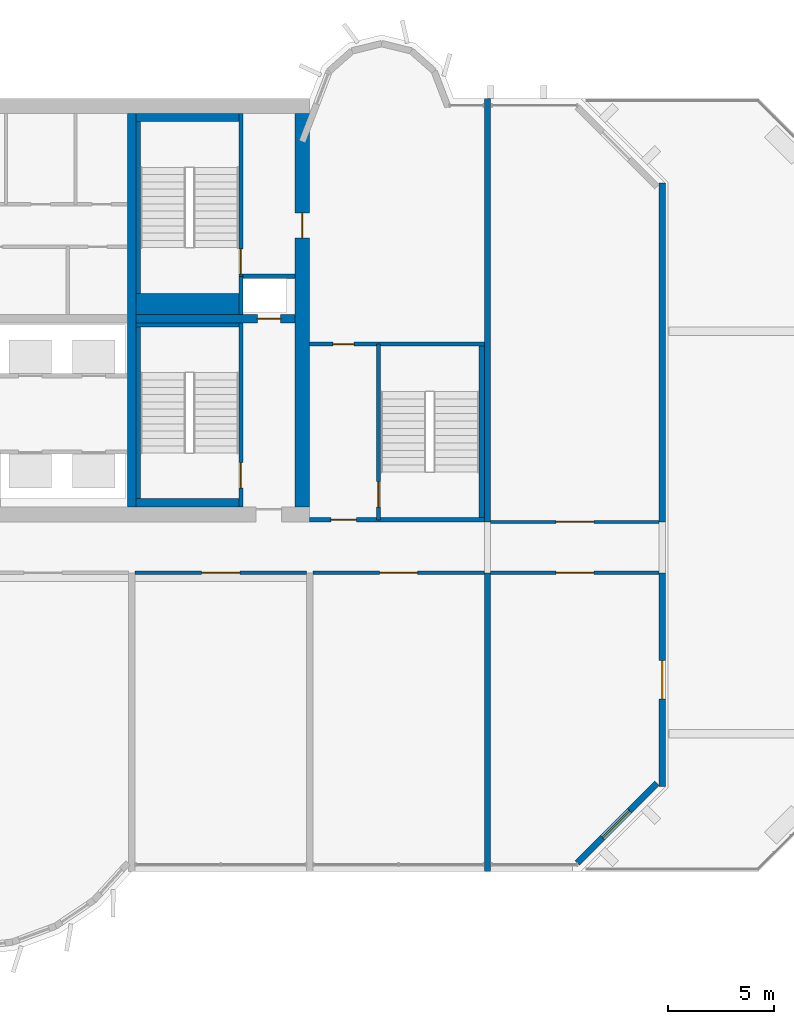
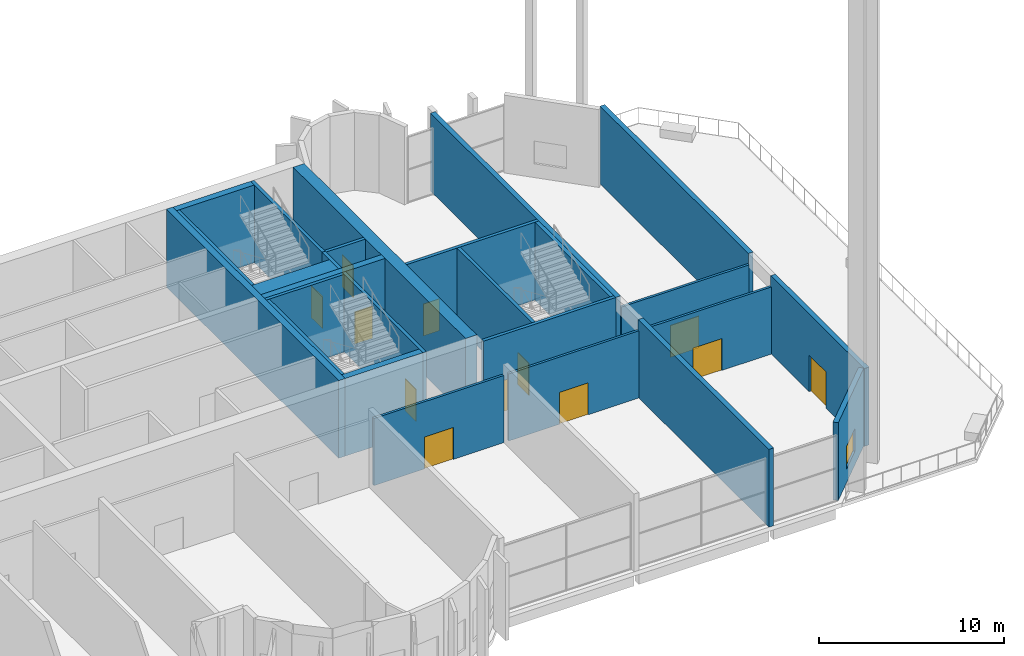
# One storey, part 14 of 19: 26 walls, 12 doors, 1 window, 13 openings.
"""IFC4 building model written with IfcOpenShell, lengths in metres."""

from ifc_helpers import new_model, si_unit, direction, frame, frame_2d, origin, place, context, subcontext, project, spatial, rectangle, extrude, source, transform, mapped, material, layer, layer_set, type_object, element, fill, save


model = new_model("IFC4")

# Units and contexts
model_context = context("Model", 3, precision=1e-05, world=origin(), true_north=direction((0.0, 1.0)))
body_context = subcontext(model_context, "Body", "Model", "MODEL_VIEW")
ifc_project = project(units=[si_unit("LENGTHUNIT", "METRE"), si_unit("AREAUNIT", "SQUARE_METRE"), si_unit("VOLUMEUNIT", "CUBIC_METRE"), si_unit("PLANEANGLEUNIT", "RADIAN"), si_unit("MASSUNIT", "GRAM", prefix="KILO")], contexts=[model_context])

# Site, building, storey
site_placement = place(None, origin())
site = spatial("IfcSite", under=ifc_project, at=site_placement, CompositionType="ELEMENT")
building_placement = place(site_placement, origin())
building = spatial("IfcBuilding", under=site, at=building_placement, Name="Vanashikhar Sky Hotel", CompositionType="ELEMENT")
storey_placement = place(building_placement, frame((0.0, 0.0, 146.199951171875)))
storey = spatial("IfcBuildingStorey", under=building, at=storey_placement, Name="L35", CompositionType="ELEMENT", Elevation=146.199951171875)

# Wall
ifc_material_1 = material(Name="Concrete M60", Category="concrete")
ifc_layer_1 = layer(ifc_material_1, 0.39990234375)
ifc_layer_set_1 = layer_set([ifc_layer_1], Name="RC core inner wall 400 Concrete M60")
wall_type_1 = type_object("IfcWallType", Name="RC core inner wall 400 Concrete M60", PredefinedType="SHEAR", material=ifc_layer_set_1)
shared_shape_1 = source(origin(), body_context, "Body", "SweptSolid", [
    extrude(rectangle(XDim=18.60009765625, YDim=0.39990234375, at=frame_2d((9.300048828125, 0.0))), origin(), (0.0, 0.0, 1.0), 5.1201171875),
])
wall_1_placement = place(storey_placement, frame((67.199951171875, 22.699951171875, 0.0), z_axis=(0.0, 0.0, 1.0), x_axis=(0.0, 1.0, 0.0)))
element("IfcWall", 1, at=wall_1_placement, inside=storey, type_object=wall_type_1, Name="KW-L35-KX3", PredefinedType="SHEAR", context=body_context, shape_type="MappedRepresentation", body=[
    mapped(shared_shape_1, transform((0.0, 0.0, 0.0), scale=1.0)),
])

# Wall, opening, door
ifc_layer_2 = layer(ifc_material_1, 0.699951171875)
ifc_layer_set_2 = layer_set([ifc_layer_2], Name="RC core shell wall 700 Concrete M60")
wall_type_2 = type_object("IfcWallType", Name="RC core shell wall 700 Concrete M60", PredefinedType="SHEAR", material=ifc_layer_set_2)
shared_shape_2 = source(origin(), body_context, "Body", "SweptSolid", [
    extrude(rectangle(XDim=18.60009765625, YDim=0.699951171875, at=frame_2d((9.300048828125, 0.0))), origin(), (0.0, 0.0, 1.0), 5.1201171875),
])
wall_2_placement = place(storey_placement, frame((75.25, 22.699951171875, 0.0), z_axis=(0.0, 0.0, 1.0), x_axis=(0.0, 1.0, 0.0)))
wall_2 = element("IfcWall", 2, at=wall_2_placement, inside=storey, type_object=wall_type_2, Name="KW-L35-KE", PredefinedType="SHEAR", context=body_context, shape_type="MappedRepresentation", body=[
    mapped(shared_shape_2, transform((0.0, 0.0, 0.0), scale=1.0)),
])
shared_shape_3 = source(origin(), body_context, "Body", "SweptSolid", [
    extrude(rectangle(XDim=1.199951171875, YDim=2.10009765625, at=frame_2d((0.60009765625, 1.050048828125))), frame((0.0, 0.35986328125, 0.0), z_axis=(0.0, -1.0, 0.0), x_axis=(1.0, 0.0, 0.0)), (0.0, 0.0, 1.0), 0.719970703125),
])
opening_1_placement = place(wall_2_placement, frame((12.699951171875, 0.0, 0.0)))
opening_1 = element("IfcOpeningElement", 3, at=opening_1_placement, cuts=wall_2, Name="Opening DC-4-D", PredefinedType="OPENING", context=body_context, shape_type="MappedRepresentation", body=[
    mapped(shared_shape_3, transform((0.0, 0.0, 0.0), scale=1.0)),
])
ifc_material_2 = material(Name="Steel", Category="steel")
door_type_1 = type_object("IfcDoorType", Name="Service door 1200 FD120", OperationType="NOTDEFINED", PredefinedType="DOOR", material=ifc_material_2)
shared_shape_4 = source(origin(), body_context, "Body", "SweptSolid", [
    extrude(rectangle(XDim=1.199951171875, YDim=2.10009765625, at=frame_2d((0.60009765625, 1.050048828125))), frame((0.0, 0.02490234375, 0.0), z_axis=(0.0, -1.0, 0.0), x_axis=(1.0, 0.0, 0.0)), (0.0, 0.0, 1.0), 0.050048828125),
])
door_1_placement = place(opening_1_placement, origin())
door_1 = element("IfcDoor", 4, at=door_1_placement, inside=storey, type_object=door_type_1, Name="Service door 1200 FD120", OperationType="SINGLE_SWING_RIGHT", OverallHeight=2.10009765625, OverallWidth=1.199951171875, PredefinedType="DOOR", context=body_context, shape_type="MappedRepresentation", body=[
    mapped(shared_shape_4, transform((0.0, 0.0, 0.0), scale=1.0)),
])
fill(opening_1, door_1)

shared_shape_5 = source(origin(), body_context, "Body", "SweptSolid", [
    extrude(rectangle(XDim=7.5, YDim=0.39990234375, at=frame_2d((3.75, 0.0))), origin(), (0.0, 0.0, 1.0), 5.1201171875),
])
wall_3_placement = place(storey_placement, frame((67.39990234375, 31.60009765625, 0.0), z_axis=(0.0, 0.0, 1.0), x_axis=(1.0, 0.0, 0.0)))
wall_3 = element("IfcWall", 5, at=wall_3_placement, inside=storey, type_object=wall_type_1, Name="KW-L35-KY4", PredefinedType="SHEAR", context=body_context, shape_type="MappedRepresentation", body=[
    mapped(shared_shape_5, transform((0.0, 0.0, 0.0), scale=1.0)),
])
shared_shape_6 = source(origin(), body_context, "Body", "SweptSolid", [
    extrude(rectangle(XDim=1.10009765625, YDim=2.10009765625, at=frame_2d((0.550048828125, 1.050048828125))), frame((0.0, 0.2099609375, 0.0), z_axis=(0.0, -1.0, 0.0), x_axis=(1.0, 0.0, 0.0)), (0.0, 0.0, 1.0), 0.419921875),
])
opening_2_placement = place(wall_3_placement, frame((5.72509765625, 0.0, 0.0)))
opening_2 = element("IfcOpeningElement", 6, at=opening_2_placement, cuts=wall_3, Name="Opening LD", PredefinedType="OPENING", context=body_context, shape_type="MappedRepresentation", body=[
    mapped(shared_shape_6, transform((0.0, 0.0, 0.0), scale=1.0)),
])
ifc_material_3 = material(Name="Stainless steel", Category="steel")
door_type_2 = type_object("IfcDoorType", Name="Lift landing door 1100", OperationType="NOTDEFINED", PredefinedType="DOOR", material=ifc_material_3)
shared_shape_7 = source(origin(), body_context, "Body", "SweptSolid", [
    extrude(rectangle(XDim=1.10009765625, YDim=2.10009765625, at=frame_2d((0.550048828125, 1.050048828125))), frame((0.0, 0.02490234375, 0.0), z_axis=(0.0, -1.0, 0.0), x_axis=(1.0, 0.0, 0.0)), (0.0, 0.0, 1.0), 0.050048828125),
])
door_2_placement = place(opening_2_placement, origin())
door_2 = element("IfcDoor", 7, at=door_2_placement, inside=storey, type_object=door_type_2, Name="Lift landing door 1100", OperationType="SLIDING_TO_RIGHT", OverallHeight=2.10009765625, OverallWidth=1.10009765625, PredefinedType="DOOR", context=body_context, shape_type="MappedRepresentation", body=[
    mapped(shared_shape_7, transform((0.0, 0.0, 0.0), scale=1.0)),
])
fill(opening_2, door_2)

ifc_layer_3 = layer(ifc_material_1, 0.300048828125)
ifc_layer_set_3 = layer_set([ifc_layer_3], Name="RC shear wall 300 Concrete M60")
wall_type_3 = type_object("IfcWallType", Name="RC shear wall 300 Concrete M60", PredefinedType="SHEAR", material=ifc_layer_set_3)
shared_shape_8 = source(origin(), body_context, "Body", "SweptSolid", [
    extrude(rectangle(XDim=10.10009765625, YDim=0.300048828125, at=frame_2d((5.050048828125, 0.0))), origin(), (0.0, 0.0, 1.0), 5.1201171875),
])
wall_4_placement = place(storey_placement, frame((92.25, 9.5, 0.0), z_axis=(0.0, 0.0, 1.0), x_axis=(0.0, 1.0, 0.0)))
wall_4 = element("IfcWall", 8, at=wall_4_placement, inside=storey, type_object=wall_type_3, Name="CW-L35-XW12-1", PredefinedType="SHEAR", context=body_context, shape_type="MappedRepresentation", body=[
    mapped(shared_shape_8, transform((0.0, 0.0, 0.0), scale=1.0)),
])
shared_shape_9 = source(origin(), body_context, "Body", "SweptSolid", [
    extrude(rectangle(XDim=1.800048828125, YDim=2.39990234375, at=frame_2d((0.89990234375, 1.199951171875))), frame((0.0, 0.16015625, 0.0), z_axis=(0.0, -1.0, 0.0), x_axis=(1.0, 0.0, 0.0)), (0.0, 0.0, 1.0), 0.320068359375),
])
opening_3_placement = place(wall_4_placement, frame((4.14990234375, 0.0, 0.0)))
opening_3 = element("IfcOpeningElement", 9, at=opening_3_placement, cuts=wall_4, Name="Opening LD-02", PredefinedType="OPENING", context=body_context, shape_type="MappedRepresentation", body=[
    mapped(shared_shape_9, transform((0.0, 0.0, 0.0), scale=1.0)),
])
ifc_material_4 = material(Name="Aluminium", Category="aluminium")
door_type_3 = type_object("IfcDoorType", Name="Lookout sliding door 1800 x 2400", OperationType="NOTDEFINED", PredefinedType="DOOR", material=ifc_material_4)
shared_shape_10 = source(origin(), body_context, "Body", "SweptSolid", [
    extrude(rectangle(XDim=1.800048828125, YDim=2.39990234375, at=frame_2d((0.89990234375, 1.199951171875))), frame((0.0, 0.02490234375, 0.0), z_axis=(0.0, -1.0, 0.0), x_axis=(1.0, 0.0, 0.0)), (0.0, 0.0, 1.0), 0.050048828125),
])
door_3_placement = place(opening_3_placement, origin())
door_3 = element("IfcDoor", 10, at=door_3_placement, inside=storey, type_object=door_type_3, Name="Terrace sliding door", OperationType="SLIDING_TO_RIGHT", OverallHeight=2.39990234375, OverallWidth=1.800048828125, PredefinedType="DOOR", context=body_context, shape_type="MappedRepresentation", body=[
    mapped(shared_shape_10, transform((0.0, 0.0, 0.0), scale=1.0)),
])
fill(opening_3, door_3)

# Walls
shared_shape_11 = source(origin(), body_context, "Body", "SweptSolid", [
    extrude(rectangle(XDim=16.0, YDim=0.300048828125, at=frame_2d((8.0, 0.0))), origin(), (0.0, 0.0, 1.0), 5.1201171875),
])
wall_5_placement = place(storey_placement, frame((92.25, 22.0, 0.0), z_axis=(0.0, 0.0, 1.0), x_axis=(0.0, 1.0, 0.0)))
element("IfcWall", 11, at=wall_5_placement, inside=storey, type_object=wall_type_3, Name="CW-L35-XW12-2", PredefinedType="SHEAR", context=body_context, shape_type="MappedRepresentation", body=[
    mapped(shared_shape_11, transform((0.0, 0.0, 0.0), scale=1.0)),
])
shared_shape_12 = source(origin(), body_context, "Body", "SweptSolid", [
    extrude(rectangle(XDim=14.10009765625, YDim=0.300048828125, at=frame_2d((7.050048828125, 0.0))), origin(), (0.0, 0.0, 1.0), 5.1201171875),
])
wall_6_placement = place(storey_placement, frame((84.0, 5.5, 0.0), z_axis=(0.0, 0.0, 1.0), x_axis=(0.0, 1.0, 0.0)))
element("IfcWall", 12, at=wall_6_placement, inside=storey, type_object=wall_type_3, Name="CW-L35-XW11-1", PredefinedType="SHEAR", context=body_context, shape_type="MappedRepresentation", body=[
    mapped(shared_shape_12, transform((0.0, 0.0, 0.0), scale=1.0)),
])
shared_shape_13 = source(origin(), body_context, "Body", "SweptSolid", [
    extrude(rectangle(XDim=20.0, YDim=0.300048828125, at=frame_2d((10.0, 0.0))), origin(), (0.0, 0.0, 1.0), 5.1201171875),
])
wall_7_placement = place(storey_placement, frame((84.0, 22.0, 0.0), z_axis=(0.0, 0.0, 1.0), x_axis=(0.0, 1.0, 0.0)))
element("IfcWall", 13, at=wall_7_placement, inside=storey, type_object=wall_type_3, Name="CW-L35-XW11-2", PredefinedType="SHEAR", context=body_context, shape_type="MappedRepresentation", body=[
    mapped(shared_shape_13, transform((0.0, 0.0, 0.0), scale=1.0)),
])

# Wall, opening, window
ifc_material_5 = material(Name="Concrete M50", Category="concrete")
ifc_layer_4 = layer(ifc_material_5, 0.300048828125)
ifc_layer_set_4 = layer_set([ifc_layer_4], Name="Lobe wall 300")
wall_type_4 = type_object("IfcWallType", Name="Lobe wall 300", PredefinedType="SOLIDWALL", material=ifc_layer_set_4)
shared_shape_14 = source(origin(), body_context, "Body", "SweptSolid", [
    extrude(rectangle(XDim=5.32568359375, YDim=0.300048828125, at=frame_2d((2.662841796875, 0.0))), origin(), (0.0, 0.0, 1.0), 5.1201171875),
])
wall_8_placement = place(storey_placement, frame((88.234375, 5.89990234375, 0.0), z_axis=(0.0, 0.0, 1.0), x_axis=(0.707083859269, 0.707129702361, 0.0)))
wall_8 = element("IfcWall", 14, at=wall_8_placement, inside=storey, type_object=wall_type_4, Name="Corner wall", PredefinedType="SOLIDWALL", context=body_context, shape_type="MappedRepresentation", body=[
    mapped(shared_shape_14, transform((0.0, 0.0, 0.0), scale=1.0)),
])
shared_shape_15 = source(origin(), body_context, "Body", "SweptSolid", [
    extrude(rectangle(XDim=1.800048828125, YDim=1.5, at=frame_2d((0.89990234375, 0.75))), frame((0.0, 0.16015625, 0.0), z_axis=(0.0, -1.0, 0.0), x_axis=(1.0, 0.0, 0.0)), (0.0, 0.0, 1.0), 0.320068359375),
])
opening_4_placement = place(wall_8_placement, frame((1.689453125, 0.0, 0.89990234375)))
opening_4 = element("IfcOpeningElement", 15, at=opening_4_placement, cuts=wall_8, Name="Opening WN-4", PredefinedType="OPENING", context=body_context, shape_type="MappedRepresentation", body=[
    mapped(shared_shape_15, transform((0.0, 0.0, 0.0), scale=1.0)),
])
ifc_material_6 = material(Name="Glass", Category="glass")
window_type = type_object("IfcWindowType", Name="Corner window 1800 x 1500", PartitioningType="SINGLE_PANEL", PredefinedType="WINDOW", material=ifc_material_6)
shared_shape_16 = source(origin(), body_context, "Body", "SweptSolid", [
    extrude(rectangle(XDim=1.800048828125, YDim=1.5, at=frame_2d((0.89990234375, 0.75))), frame((0.0, 0.030029296875, 0.0), z_axis=(0.0, -1.0, 0.0), x_axis=(1.0, 0.0, 0.0)), (0.0, 0.0, 1.0), 0.06005859375),
])
window_placement = place(opening_4_placement, origin())
window = element("IfcWindow", 16, at=window_placement, inside=storey, type_object=window_type, Name="Window WN-4", OverallHeight=1.5, OverallWidth=1.800048828125, PartitioningType="SINGLE_PANEL", PredefinedType="WINDOW", context=body_context, shape_type="MappedRepresentation", body=[
    mapped(shared_shape_16, transform((0.0, 0.0, 0.0), scale=1.0)),
])
fill(opening_4, window)

# Wall, opening, door
ifc_layer_5 = layer(ifc_material_5, 0.199951171875)
ifc_layer_set_5 = layer_set([ifc_layer_5], Name="Stair wall 200")
wall_type_5 = type_object("IfcWallType", Name="Stair wall 200", PredefinedType="SOLIDWALL", material=ifc_layer_set_5)
shared_shape_17 = source(origin(), body_context, "Body", "SweptSolid", [
    extrude(rectangle(XDim=8.2998046875, YDim=0.199951171875, at=frame_2d((4.14990234375, 0.0))), origin(), (0.0, 0.0, 1.0), 5.1201171875),
])
wall_9_placement = place(storey_placement, frame((78.85009765625, 22.10009765625, 0.0), z_axis=(0.0, 0.0, 1.0), x_axis=(0.0, 1.0, 0.0)))
wall_9 = element("IfcWall", 17, at=wall_9_placement, inside=storey, type_object=wall_type_5, Name="Stair wall 200", PredefinedType="SOLIDWALL", context=body_context, shape_type="MappedRepresentation", body=[
    mapped(shared_shape_17, transform((0.0, 0.0, 0.0), scale=1.0)),
])
shared_shape_18 = source(origin(), body_context, "Body", "SweptSolid", [
    extrude(rectangle(XDim=1.199951171875, YDim=2.10009765625, at=frame_2d((0.60009765625, 1.050048828125))), frame((0.0, 0.10986328125, 0.0), z_axis=(0.0, -1.0, 0.0), x_axis=(1.0, 0.0, 0.0)), (0.0, 0.0, 1.0), 0.219970703125),
])
opening_5_placement = place(wall_9_placement, frame((0.60009765625, 0.0, 0.0)))
opening_5 = element("IfcOpeningElement", 18, at=opening_5_placement, cuts=wall_9, Name="Opening DC-1", PredefinedType="OPENING", context=body_context, shape_type="MappedRepresentation", body=[
    mapped(shared_shape_18, transform((0.0, 0.0, 0.0), scale=1.0)),
])
door_type_4 = type_object("IfcDoorType", Name="Stair door 1200 FD120", OperationType="NOTDEFINED", PredefinedType="DOOR", material=ifc_material_2)
door_4_placement = place(opening_5_placement, origin())
door_4 = element("IfcDoor", 19, at=door_4_placement, inside=storey, type_object=door_type_4, Name="Stair door 1200 FD120", OperationType="SINGLE_SWING_LEFT", OverallHeight=2.10009765625, OverallWidth=1.199951171875, PredefinedType="DOOR", context=body_context, shape_type="MappedRepresentation", body=[
    mapped(shared_shape_4, transform((0.0, 0.0, 0.0), scale=1.0)),
])
fill(opening_5, door_4)

shared_shape_19 = source(origin(), body_context, "Body", "SweptSolid", [
    extrude(rectangle(XDim=8.699951171875, YDim=0.199951171875, at=frame_2d((4.35009765625, 0.0))), origin(), (0.0, 0.0, 1.0), 5.1201171875),
])
wall_10_placement = place(storey_placement, frame((72.35009765625, 22.699951171875, 0.0), z_axis=(0.0, 0.0, 1.0), x_axis=(0.0, 1.0, 0.0)))
wall_10 = element("IfcWall", 20, at=wall_10_placement, inside=storey, type_object=wall_type_5, Name="Stair wall 200", PredefinedType="SOLIDWALL", context=body_context, shape_type="MappedRepresentation", body=[
    mapped(shared_shape_19, transform((0.0, 0.0, 0.0), scale=1.0)),
])
opening_6_placement = place(wall_10_placement, frame((0.89990234375, 0.0, 0.0)))
opening_6 = element("IfcOpeningElement", 21, at=opening_6_placement, cuts=wall_10, Name="Opening DC-1", PredefinedType="OPENING", context=body_context, shape_type="MappedRepresentation", body=[
    mapped(shared_shape_18, transform((0.0, 0.0, 0.0), scale=1.0)),
])
door_5_placement = place(opening_6_placement, origin())
door_5 = element("IfcDoor", 22, at=door_5_placement, inside=storey, type_object=door_type_4, Name="Stair door 1200 FD120", OperationType="SINGLE_SWING_RIGHT", OverallHeight=2.10009765625, OverallWidth=1.199951171875, PredefinedType="DOOR", context=body_context, shape_type="MappedRepresentation", body=[
    mapped(shared_shape_4, transform((0.0, 0.0, 0.0), scale=1.0)),
])
fill(opening_6, door_5)

# Wall
ifc_material_7 = material(Name="Concrete M40", Category="concrete")
ifc_layer_6 = layer(ifc_material_7, 0.199951171875)
ifc_layer_set_6 = layer_set([ifc_layer_6], Name="Shaft wall 200")
wall_type_6 = type_object("IfcWallType", Name="Shaft wall 200", PredefinedType="SOLIDWALL", material=ifc_layer_set_6)
shared_shape_20 = source(origin(), body_context, "Body", "SweptSolid", [
    extrude(rectangle(XDim=1.800048828125, YDim=0.199951171875, at=frame_2d((0.89990234375, 0.0))), origin(), (0.0, 0.0, 1.0), 5.1201171875),
])
wall_11_placement = place(storey_placement, frame((72.35009765625, 31.800048828125, 0.0), z_axis=(0.0, 0.0, 1.0), x_axis=(0.0, 1.0, 0.0)))
element("IfcWall", 23, at=wall_11_placement, inside=storey, type_object=wall_type_6, Name="Shaft wall 200", PredefinedType="SOLIDWALL", context=body_context, shape_type="MappedRepresentation", body=[
    mapped(shared_shape_20, transform((0.0, 0.0, 0.0), scale=1.0)),
])

# Wall, opening, door
shared_shape_21 = source(origin(), body_context, "Body", "SweptSolid", [
    extrude(rectangle(XDim=7.699951171875, YDim=0.199951171875, at=frame_2d((3.85009765625, 0.0))), origin(), (0.0, 0.0, 1.0), 5.1201171875),
])
wall_12_placement = place(storey_placement, frame((72.35009765625, 33.60009765625, 0.0), z_axis=(0.0, 0.0, 1.0), x_axis=(0.0, 1.0, 0.0)))
wall_12 = element("IfcWall", 24, at=wall_12_placement, inside=storey, type_object=wall_type_5, Name="Stair wall 200", PredefinedType="SOLIDWALL", context=body_context, shape_type="MappedRepresentation", body=[
    mapped(shared_shape_21, transform((0.0, 0.0, 0.0), scale=1.0)),
])
opening_7_placement = place(wall_12_placement, frame((0.10009765625, 0.0, 0.0)))
opening_7 = element("IfcOpeningElement", 25, at=opening_7_placement, cuts=wall_12, Name="Opening DC-1", PredefinedType="OPENING", context=body_context, shape_type="MappedRepresentation", body=[
    mapped(shared_shape_18, transform((0.0, 0.0, 0.0), scale=1.0)),
])
door_6_placement = place(opening_7_placement, origin())
door_6 = element("IfcDoor", 26, at=door_6_placement, inside=storey, type_object=door_type_4, Name="Stair door 1200 FD120", OperationType="SINGLE_SWING_RIGHT", OverallHeight=2.10009765625, OverallWidth=1.199951171875, PredefinedType="DOOR", context=body_context, shape_type="MappedRepresentation", body=[
    mapped(shared_shape_4, transform((0.0, 0.0, 0.0), scale=1.0)),
])
fill(opening_7, door_6)

# Wall
shared_shape_22 = source(origin(), body_context, "Body", "SweptSolid", [
    extrude(rectangle(XDim=2.449951171875, YDim=0.199951171875, at=frame_2d((1.22509765625, 0.0))), origin(), (0.0, 0.0, 1.0), 5.1201171875),
])
wall_13_placement = place(storey_placement, frame((72.449951171875, 33.60009765625, 0.0), z_axis=(0.0, 0.0, 1.0), x_axis=(1.0, 0.0, 0.0)))
element("IfcWall", 27, at=wall_13_placement, inside=storey, type_object=wall_type_6, Name="Shaft wall 200", PredefinedType="SOLIDWALL", context=body_context, shape_type="MappedRepresentation", body=[
    mapped(shared_shape_22, transform((0.0, 0.0, 0.0), scale=1.0)),
])

# Wall, opening, door
shared_shape_23 = source(origin(), body_context, "Body", "SweptSolid", [
    extrude(rectangle(XDim=8.25, YDim=0.199951171875, at=frame_2d((4.125, 0.0))), origin(), (0.0, 0.0, 1.0), 5.1201171875),
])
wall_14_placement = place(storey_placement, frame((83.85009765625, 22.10009765625, 0.0), z_axis=(0.0, 0.0, 1.0), x_axis=(-1.0, 0.0, 0.0)))
wall_14 = element("IfcWall", 28, at=wall_14_placement, inside=storey, type_object=wall_type_5, Name="Stair wall 200", PredefinedType="SOLIDWALL", context=body_context, shape_type="MappedRepresentation", body=[
    mapped(shared_shape_23, transform((0.0, 0.0, 0.0), scale=1.0)),
])
opening_8_placement = place(wall_14_placement, frame((6.050048828125, 0.0, 0.0)))
opening_8 = element("IfcOpeningElement", 29, at=opening_8_placement, cuts=wall_14, Name="Opening DC-2", PredefinedType="OPENING", context=body_context, shape_type="MappedRepresentation", body=[
    mapped(shared_shape_18, transform((0.0, 0.0, 0.0), scale=1.0)),
])
door_type_5 = type_object("IfcDoorType", Name="Firefighting lobby door 1200 FD120", OperationType="NOTDEFINED", PredefinedType="DOOR", material=ifc_material_2)
door_7_placement = place(opening_8_placement, origin())
door_7 = element("IfcDoor", 30, at=door_7_placement, inside=storey, type_object=door_type_5, Name="Firefighting lobby door 1200 FD120", OperationType="SINGLE_SWING_RIGHT", OverallHeight=2.10009765625, OverallWidth=1.199951171875, PredefinedType="DOOR", context=body_context, shape_type="MappedRepresentation", body=[
    mapped(shared_shape_4, transform((0.0, 0.0, 0.0), scale=1.0)),
])
fill(opening_8, door_7)

wall_15_placement = place(storey_placement, frame((83.85009765625, 30.39990234375, 0.0), z_axis=(0.0, 0.0, 1.0), x_axis=(-1.0, 0.0, 0.0)))
wall_15 = element("IfcWall", 31, at=wall_15_placement, inside=storey, type_object=wall_type_5, Name="Stair wall 200", PredefinedType="SOLIDWALL", context=body_context, shape_type="MappedRepresentation", body=[
    mapped(shared_shape_23, transform((0.0, 0.0, 0.0), scale=1.0)),
])
shared_shape_24 = source(origin(), body_context, "Body", "SweptSolid", [
    extrude(rectangle(XDim=1.0, YDim=2.10009765625, at=frame_2d((0.5, 1.050048828125))), frame((0.0, 0.10986328125, 0.0), z_axis=(0.0, -1.0, 0.0), x_axis=(1.0, 0.0, 0.0)), (0.0, 0.0, 1.0), 0.219970703125),
])
opening_9_placement = place(wall_15_placement, frame((6.14990234375, 0.0, 0.0)))
opening_9 = element("IfcOpeningElement", 32, at=opening_9_placement, cuts=wall_15, Name="Opening DC-6", PredefinedType="OPENING", context=body_context, shape_type="MappedRepresentation", body=[
    mapped(shared_shape_24, transform((0.0, 0.0, 0.0), scale=1.0)),
])
door_type_6 = type_object("IfcDoorType", Name="Pocket door 1000 FD60", OperationType="NOTDEFINED", PredefinedType="DOOR", material=ifc_material_2)
shared_shape_25 = source(origin(), body_context, "Body", "SweptSolid", [
    extrude(rectangle(XDim=1.0, YDim=2.10009765625, at=frame_2d((0.5, 1.050048828125))), frame((0.0, 0.02490234375, 0.0), z_axis=(0.0, -1.0, 0.0), x_axis=(1.0, 0.0, 0.0)), (0.0, 0.0, 1.0), 0.050048828125),
])
door_8_placement = place(opening_9_placement, origin())
door_8 = element("IfcDoor", 33, at=door_8_placement, inside=storey, type_object=door_type_6, Name="Pocket door 1000 FD60", OperationType="SINGLE_SWING_RIGHT", OverallHeight=2.10009765625, OverallWidth=1.0, PredefinedType="DOOR", context=body_context, shape_type="MappedRepresentation", body=[
    mapped(shared_shape_25, transform((0.0, 0.0, 0.0), scale=1.0)),
])
fill(opening_9, door_8)

# Walls
ifc_layer_7 = layer(ifc_material_5, 0.39990234375)
ifc_layer_set_7 = layer_set([ifc_layer_7], Name="Stair infill wall 400")
wall_type_7 = type_object("IfcWallType", Name="Stair infill wall 400", PredefinedType="SOLIDWALL", material=ifc_layer_set_7)
shared_shape_26 = source(origin(), body_context, "Body", "SweptSolid", [
    extrude(rectangle(XDim=4.85009765625, YDim=0.39990234375, at=frame_2d((2.425048828125, 0.0))), origin(), (0.0, 0.0, 1.0), 5.1201171875),
])
for number, where, z_axis, x_axis, name in (
    (34, (67.39990234375, 22.89990234375, 0.0), (0.0, 0.0, 1.0), (1.0, 0.0, 0.0), "Stair infill wall 400"),
    (35, (67.39990234375, 41.10009765625, 0.0), (0.0, 0.0, 1.0), (1.0, 0.0, 0.0), "Stair infill wall 400"),
):
    element("IfcWall", number, at=place(storey_placement, frame(where, z_axis=z_axis, x_axis=x_axis)), inside=storey, type_object=wall_type_7, Name=name, PredefinedType="SOLIDWALL", context=body_context, shape_type="MappedRepresentation", body=[
        mapped(shared_shape_26, transform((0.0, 0.0, 0.0), scale=1.0)),
    ])
ifc_layer_8 = layer(ifc_material_5, 0.199951171875)
ifc_layer_set_8 = layer_set([ifc_layer_8], Name="Stair infill wall 200")
wall_type_8 = type_object("IfcWallType", Name="Stair infill wall 200", PredefinedType="SOLIDWALL", material=ifc_layer_set_8)
shared_shape_27 = source(origin(), body_context, "Body", "SweptSolid", [
    extrude(rectangle(XDim=4.85009765625, YDim=0.199951171875, at=frame_2d((2.425048828125, 0.0))), origin(), (0.0, 0.0, 1.0), 5.1201171875),
])
wall_16_placement = place(storey_placement, frame((67.39990234375, 31.300048828125, 0.0), z_axis=(0.0, 0.0, 1.0), x_axis=(1.0, 0.0, 0.0)))
element("IfcWall", 36, at=wall_16_placement, inside=storey, type_object=wall_type_8, Name="Stair infill wall 200", PredefinedType="SOLIDWALL", context=body_context, shape_type="MappedRepresentation", body=[
    mapped(shared_shape_27, transform((0.0, 0.0, 0.0), scale=1.0)),
])
shared_shape_28 = source(origin(), body_context, "Body", "SweptSolid", [
    extrude(rectangle(XDim=8.099853515625, YDim=0.199951171875, at=frame_2d((4.0498046875, 0.0))), origin(), (0.0, 0.0, 1.0), 5.1201171875),
])
for number, where, z_axis, x_axis, name in (
    (37, (67.5, 23.10009765625, 0.0), (0.0, 0.0, 1.0), (0.0, 1.0, 0.0), "Stair infill wall 200"),
    (38, (67.5, 32.800048828125, 0.0), (0.0, 0.0, 1.0), (0.0, 1.0, 0.0), "Stair infill wall 200"),
):
    element("IfcWall", number, at=place(storey_placement, frame(where, z_axis=z_axis, x_axis=x_axis)), inside=storey, type_object=wall_type_8, Name=name, PredefinedType="SOLIDWALL", context=body_context, shape_type="MappedRepresentation", body=[
        mapped(shared_shape_28, transform((0.0, 0.0, 0.0), scale=1.0)),
    ])
ifc_layer_9 = layer(ifc_material_5, 0.25)
ifc_layer_set_9 = layer_set([ifc_layer_9], Name="Stair infill wall 250")
wall_type_9 = type_object("IfcWallType", Name="Stair infill wall 250", PredefinedType="SOLIDWALL", material=ifc_layer_set_9)
shared_shape_29 = source(origin(), body_context, "Body", "SweptSolid", [
    extrude(rectangle(XDim=8.10009765625, YDim=0.25, at=frame_2d((4.050048828125, 0.0))), origin(), (0.0, 0.0, 1.0), 5.1201171875),
])
wall_17_placement = place(storey_placement, frame((83.72509765625, 22.199951171875, 0.0), z_axis=(0.0, 0.0, 1.0), x_axis=(0.0, 1.0, 0.0)))
element("IfcWall", 39, at=wall_17_placement, inside=storey, type_object=wall_type_9, Name="Stair infill wall 250", PredefinedType="SOLIDWALL", context=body_context, shape_type="MappedRepresentation", body=[
    mapped(shared_shape_29, transform((0.0, 0.0, 0.0), scale=1.0)),
])
ifc_layer_10 = layer(ifc_material_5, 1.0)
ifc_layer_set_10 = layer_set([ifc_layer_10], Name="Stair infill wall 1000")
wall_type_10 = type_object("IfcWallType", Name="Stair infill wall 1000", PredefinedType="SOLIDWALL", material=ifc_layer_set_10)
shared_shape_30 = source(origin(), body_context, "Body", "SweptSolid", [
    extrude(rectangle(XDim=4.85009765625, YDim=1.0, at=frame_2d((2.425048828125, 0.0))), origin(), (0.0, 0.0, 1.0), 5.1201171875),
])
wall_18_placement = place(storey_placement, frame((67.39990234375, 32.300048828125, 0.0), z_axis=(0.0, 0.0, 1.0), x_axis=(1.0, 0.0, 0.0)))
element("IfcWall", 40, at=wall_18_placement, inside=storey, type_object=wall_type_10, Name="Stair infill wall 1000", PredefinedType="SOLIDWALL", context=body_context, shape_type="MappedRepresentation", body=[
    mapped(shared_shape_30, transform((0.0, 0.0, 0.0), scale=1.0)),
])

# Wall, opening, door
ifc_material_8 = material(Name="Gypsum plasterboard partition")
ifc_layer_11 = layer(ifc_material_8, 0.14990234375)
ifc_layer_set_11 = layer_set([ifc_layer_11], Name="Corridor and demising partition 150")
wall_type_11 = type_object("IfcWallType", Name="Corridor and demising partition 150", PredefinedType="PARTITIONING", material=ifc_layer_set_11)
shared_shape_31 = source(origin(), body_context, "Body", "SweptSolid", [
    extrude(rectangle(XDim=8.10009765625, YDim=0.14990234375, at=frame_2d((4.050048828125, 0.0))), origin(), (0.0, 0.0, 1.0), 4.420166015625),
])
wall_19_placement = place(storey_placement, frame((75.75, 19.60009765625, 0.0), z_axis=(0.0, 0.0, 1.0), x_axis=(1.0, 0.0, 0.0)))
wall_19 = element("IfcWall", 41, at=wall_19_placement, inside=storey, type_object=wall_type_11, Name="W-L35-PW011", PredefinedType="PARTITIONING", context=body_context, shape_type="MappedRepresentation", body=[
    mapped(shared_shape_31, transform((0.0, 0.0, 0.0), scale=1.0)),
])
shared_shape_32 = source(origin(), body_context, "Body", "SweptSolid", [
    extrude(rectangle(XDim=1.800048828125, YDim=2.10009765625, at=frame_2d((0.89990234375, 1.050048828125))), frame((0.0, 0.0849609375, 0.0), z_axis=(0.0, -1.0, 0.0), x_axis=(1.0, 0.0, 0.0)), (0.0, 0.0, 1.0), 0.169921875),
])
opening_10_placement = place(wall_19_placement, frame((3.14990234375, 0.0, 0.0)))
opening_10 = element("IfcOpeningElement", 42, at=opening_10_placement, cuts=wall_19, Name="Opening D-03", PredefinedType="OPENING", context=body_context, shape_type="MappedRepresentation", body=[
    mapped(shared_shape_32, transform((0.0, 0.0, 0.0), scale=1.0)),
])
ifc_material_9 = material(Name="Timber fire door", Category="wood")
door_type_7 = type_object("IfcDoorType", Name="Double leaf door 1800 FD30S", OperationType="NOTDEFINED", PredefinedType="DOOR", material=ifc_material_9)
shared_shape_33 = source(origin(), body_context, "Body", "SweptSolid", [
    extrude(rectangle(XDim=1.800048828125, YDim=2.10009765625, at=frame_2d((0.89990234375, 1.050048828125))), frame((0.0, 0.02490234375, 0.0), z_axis=(0.0, -1.0, 0.0), x_axis=(1.0, 0.0, 0.0)), (0.0, 0.0, 1.0), 0.050048828125),
])
door_9_placement = place(opening_10_placement, origin())
door_9 = element("IfcDoor", 43, at=door_9_placement, inside=storey, type_object=door_type_7, Name="D-L35-010", OperationType="DOUBLE_DOOR_SINGLE_SWING", OverallHeight=2.10009765625, OverallWidth=1.800048828125, PredefinedType="DOOR", context=body_context, shape_type="MappedRepresentation", body=[
    mapped(shared_shape_33, transform((0.0, 0.0, 0.0), scale=1.0)),
])
fill(opening_10, door_9)

shared_shape_34 = source(origin(), body_context, "Body", "SweptSolid", [
    extrude(rectangle(XDim=8.099853515625, YDim=0.14990234375, at=frame_2d((4.0498046875, 0.0))), origin(), (0.0, 0.0, 1.0), 4.420166015625),
])
wall_20_placement = place(storey_placement, frame((67.35009765625, 19.60009765625, 0.0), z_axis=(0.0, 0.0, 1.0), x_axis=(1.0, 0.0, 0.0)))
wall_20 = element("IfcWall", 44, at=wall_20_placement, inside=storey, type_object=wall_type_11, Name="W-L35-PW010", PredefinedType="PARTITIONING", context=body_context, shape_type="MappedRepresentation", body=[
    mapped(shared_shape_34, transform((0.0, 0.0, 0.0), scale=1.0)),
])
opening_11_placement = place(wall_20_placement, frame((3.14990234375, 0.0, 0.0)))
opening_11 = element("IfcOpeningElement", 45, at=opening_11_placement, cuts=wall_20, Name="Opening D-03", PredefinedType="OPENING", context=body_context, shape_type="MappedRepresentation", body=[
    mapped(shared_shape_32, transform((0.0, 0.0, 0.0), scale=1.0)),
])
door_10_placement = place(opening_11_placement, origin())
door_10 = element("IfcDoor", 46, at=door_10_placement, inside=storey, type_object=door_type_7, Name="D-L35-009", OperationType="DOUBLE_DOOR_SINGLE_SWING", OverallHeight=2.10009765625, OverallWidth=1.800048828125, PredefinedType="DOOR", context=body_context, shape_type="MappedRepresentation", body=[
    mapped(shared_shape_33, transform((0.0, 0.0, 0.0), scale=1.0)),
])
fill(opening_11, door_10)

shared_shape_35 = source(origin(), body_context, "Body", "SweptSolid", [
    extrude(rectangle(XDim=7.9501953125, YDim=0.14990234375, at=frame_2d((3.97509765625, 0.0))), origin(), (0.0, 0.0, 1.0), 4.420166015625),
])
wall_21_placement = place(storey_placement, frame((84.14990234375, 19.60009765625, 0.0), z_axis=(0.0, 0.0, 1.0), x_axis=(1.0, 0.0, 0.0)))
wall_21 = element("IfcWall", 47, at=wall_21_placement, inside=storey, type_object=wall_type_11, Name="W-L35-PW012", PredefinedType="PARTITIONING", context=body_context, shape_type="MappedRepresentation", body=[
    mapped(shared_shape_35, transform((0.0, 0.0, 0.0), scale=1.0)),
])
opening_12_placement = place(wall_21_placement, frame((3.074951171875, 0.0, 0.0)))
opening_12 = element("IfcOpeningElement", 48, at=opening_12_placement, cuts=wall_21, Name="Opening D-03", PredefinedType="OPENING", context=body_context, shape_type="MappedRepresentation", body=[
    mapped(shared_shape_32, transform((0.0, 0.0, 0.0), scale=1.0)),
])
door_11_placement = place(opening_12_placement, origin())
door_11 = element("IfcDoor", 49, at=door_11_placement, inside=storey, type_object=door_type_7, Name="D-L35-011", OperationType="DOUBLE_DOOR_SINGLE_SWING", OverallHeight=2.10009765625, OverallWidth=1.800048828125, PredefinedType="DOOR", context=body_context, shape_type="MappedRepresentation", body=[
    mapped(shared_shape_33, transform((0.0, 0.0, 0.0), scale=1.0)),
])
fill(opening_12, door_11)

wall_22_placement = place(storey_placement, frame((84.14990234375, 22.0, 0.0), z_axis=(0.0, 0.0, 1.0), x_axis=(1.0, 0.0, 0.0)))
wall_22 = element("IfcWall", 50, at=wall_22_placement, inside=storey, type_object=wall_type_11, Name="W-L35-PW016", PredefinedType="PARTITIONING", context=body_context, shape_type="MappedRepresentation", body=[
    mapped(shared_shape_35, transform((0.0, 0.0, 0.0), scale=1.0)),
])
opening_13_placement = place(wall_22_placement, frame((3.074951171875, 0.0, 0.0)))
opening_13 = element("IfcOpeningElement", 51, at=opening_13_placement, cuts=wall_22, Name="Opening D-03", PredefinedType="OPENING", context=body_context, shape_type="MappedRepresentation", body=[
    mapped(shared_shape_32, transform((0.0, 0.0, 0.0), scale=1.0)),
])
door_12_placement = place(opening_13_placement, origin())
door_12 = element("IfcDoor", 52, at=door_12_placement, inside=storey, type_object=door_type_7, Name="D-L35-013", OperationType="DOUBLE_DOOR_SINGLE_SWING", OverallHeight=2.10009765625, OverallWidth=1.800048828125, PredefinedType="DOOR", context=body_context, shape_type="MappedRepresentation", body=[
    mapped(shared_shape_33, transform((0.0, 0.0, 0.0), scale=1.0)),
])
fill(opening_13, door_12)

save(model, "model.ifc")
